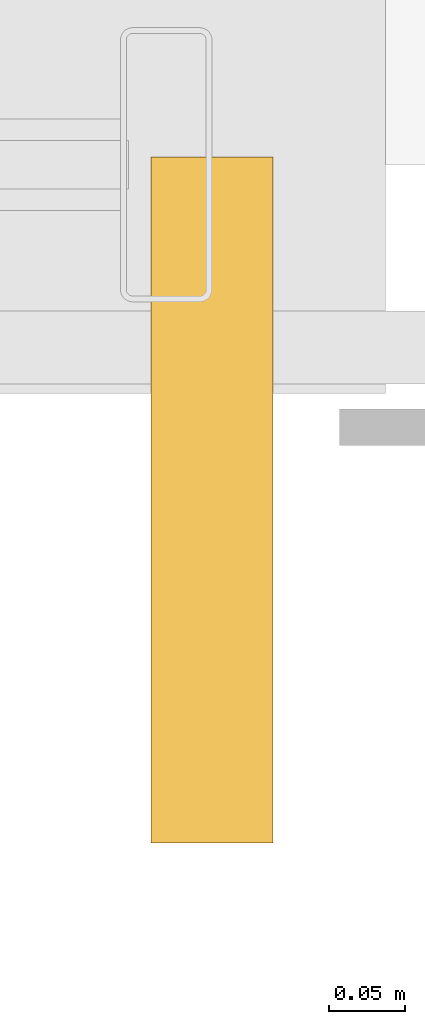
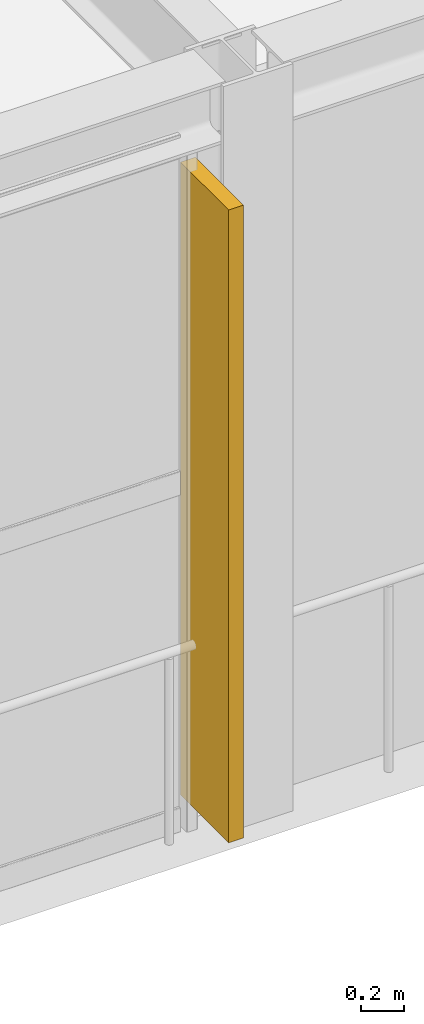
# One storey, part 165 of 170: 1 shading device.
"""IFC4 building model written with IfcOpenShell, lengths in metres."""

from ifc_helpers import new_model, si_unit, direction, frame, origin, origin_2d, place, context, subcontext, project, spatial, rectangle, extrude, material, type_object, element, save


model = new_model("IFC4")

# Units and contexts
model_context = context("Model", 3, precision=1e-05, world=origin(), true_north=direction((0.0, 1.0)))
body_context = subcontext(model_context, "Body", "Model", "MODEL_VIEW")
ifc_project = project(units=[si_unit("LENGTHUNIT", "METRE"), si_unit("AREAUNIT", "SQUARE_METRE"), si_unit("VOLUMEUNIT", "CUBIC_METRE"), si_unit("PLANEANGLEUNIT", "RADIAN"), si_unit("MASSUNIT", "GRAM", prefix="KILO")], contexts=[model_context])

# Site, building, storey
site_placement = place(None, origin())
site = spatial("IfcSite", under=ifc_project, at=site_placement, CompositionType="ELEMENT")
building_placement = place(site_placement, origin())
building = spatial("IfcBuilding", under=site, at=building_placement, Name="Coralgate Yard Interchange", CompositionType="ELEMENT")
storey_placement = place(building_placement, frame((0.0, 0.0, 6.0)))
storey = spatial("IfcBuildingStorey", under=building, at=storey_placement, Name="L01", CompositionType="ELEMENT", Elevation=6.0)

# Shading device
ifc_material = material(Name="Anodised coastal aluminium vertical brise-soleil blade", Category="aluminium")
shading_device_type = type_object("IfcShadingDeviceType", Name="SHD-BS1", PredefinedType="SHUTTER", material=ifc_material)
shading_device_placement = place(storey_placement, frame((76.530029296875, 66.97998046875, 0.14990234375), z_axis=(0.0, 0.0, 1.0), x_axis=(-1.0, 0.0, 0.0)))
element("IfcShadingDevice", 1, at=shading_device_placement, inside=storey, type_object=shading_device_type, Name="L01 coastal aluminium brise-soleil fin S-7-7", PredefinedType="SHUTTER", context=body_context, shape_type="SweptSolid", body=[
    extrude(rectangle(XDim=0.080078125, YDim=0.449951171875, at=origin_2d()), origin(), (0.0, 0.0, 1.0), 3.60009765625),
])

save(model, "model.ifc")
